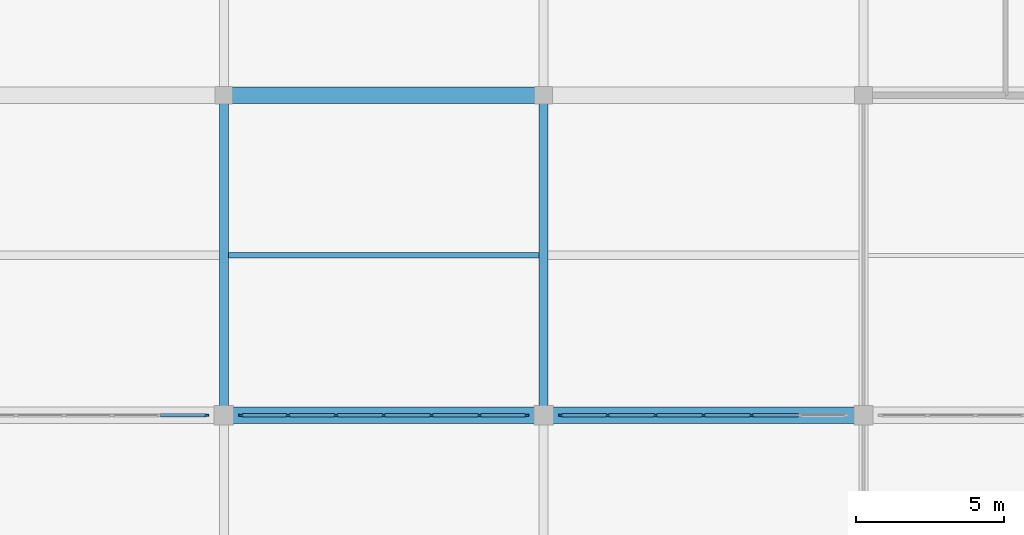
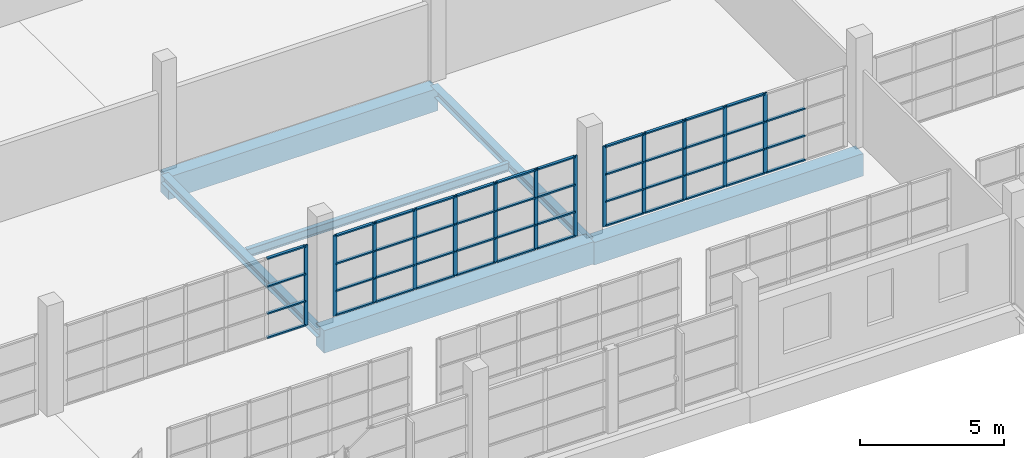
# One storey, part 72 of 142: 60 members, 6 beams, 3 elements without a shape of their own.
"""IFC4 building model written with IfcOpenShell, lengths in metres."""

from ifc_helpers import new_model, si_unit, direction, frame, origin, origin_2d, place, context, subcontext, project, spatial, rectangle, i_section, extrude, material, material_profile, profile_set, type_object, element, aggregate, save


model = new_model("IFC4")

# Units and contexts
model_context = context("Model", 3, precision=1e-05, world=origin(), true_north=direction((0.0, 1.0)))
body_context = subcontext(model_context, "Body", "Model", "MODEL_VIEW")
ifc_project = project(units=[si_unit("LENGTHUNIT", "METRE"), si_unit("AREAUNIT", "SQUARE_METRE"), si_unit("VOLUMEUNIT", "CUBIC_METRE"), si_unit("PLANEANGLEUNIT", "RADIAN"), si_unit("MASSUNIT", "GRAM", prefix="KILO")], contexts=[model_context])

# Site, building, storey
site_placement = place(None, origin())
site = spatial("IfcSite", under=ifc_project, at=site_placement, CompositionType="ELEMENT")
building_placement = place(site_placement, origin())
building = spatial("IfcBuilding", under=site, at=building_placement, Name="Zwinboog Wholesale Market", CompositionType="ELEMENT")
storey_placement = place(building_placement, frame((0.0, 0.0, 5.39990234375)))
storey = spatial("IfcBuildingStorey", under=building, at=storey_placement, Name="L01", CompositionType="ELEMENT", Elevation=5.39990234375)

# Beams
ifc_material_1 = material(Name="Precast concrete C45/55", Category="concrete")
ifc_material_profile_1 = material_profile(ifc_material_1, rectangle(XDim=0.550048828125, YDim=0.949951171875, at=origin_2d()), Name="PC 550x950")
ifc_profile_set_1 = profile_set([ifc_material_profile_1], Name="Precast concrete C45/55")
beam_type_1 = type_object("IfcBeamType", Name="BT-02", PredefinedType="BEAM", material=ifc_profile_set_1)
beam_1_placement = place(storey_placement, frame((129.60009765625, 97.199951171875, -0.7548828125), z_axis=(1.0, 0.0, 0.0), x_axis=(0.0, 1.0, 0.0)))
element("IfcBeam", 1, at=beam_1_placement, inside=storey, type_object=beam_type_1, Name="BG-02 (BMG-L01-1296-0972-0537)", PredefinedType="BEAM", context=body_context, shape_type="SweptSolid", body=[
    extrude(rectangle(XDim=0.550048828125, YDim=0.949951171875, at=origin_2d()), origin(), (0.0, 0.0, 1.0), 10.7998046875),
])
beam_2_placement = place(storey_placement, frame((140.39990234375, 97.199951171875, -0.806884765625), z_axis=(1.0, 0.0, 0.0), x_axis=(0.0, 1.0, 0.0)))
element("IfcBeam", 2, at=beam_2_placement, inside=storey, type_object=beam_type_1, Name="BG-02 (BMG-L01-1404-0972-0538)", PredefinedType="BEAM", context=body_context, shape_type="SweptSolid", body=[
    extrude(rectangle(XDim=0.550048828125, YDim=0.949951171875, at=origin_2d()), origin(), (0.0, 0.0, 1.0), 10.800048828125),
])
beam_3_placement = place(storey_placement, frame((129.60009765625, 108.0, -0.806884765625), z_axis=(1.0, 0.0, 0.0), x_axis=(0.0, 1.0, 0.0)))
element("IfcBeam", 3, at=beam_3_placement, inside=storey, type_object=beam_type_1, Name="BG-02 (BMG-L01-1296-1080-0553)", PredefinedType="BEAM", context=body_context, shape_type="SweptSolid", body=[
    extrude(rectangle(XDim=0.550048828125, YDim=0.949951171875, at=origin_2d()), origin(), (0.0, 0.0, 1.0), 10.7998046875),
])
ifc_material_2 = material(Name="Steel S355", Category="steel")
ifc_material_profile_2 = material_profile(ifc_material_2, i_section(OverallWidth=0.300048828125, OverallDepth=0.35009765625, WebThickness=0.010009765625, FlangeThickness=0.017578125, FilletRadius=0.027099609375, at=origin_2d()), Name="HEA 360")
ifc_profile_set_2 = profile_set([ifc_material_profile_2], Name="Steel S355")
beam_type_2 = type_object("IfcBeamType", Name="BT-17", PredefinedType="BEAM", material=ifc_profile_set_2)
for number, where, z_axis, x_axis, name in (
    (4, (129.60009765625, 97.199951171875, -0.5068359375), (0.0, 1.0, 0.0), (-1.0, 0.0, 0.0), "SB-04 (BMG-L01-1296-0972-0709)"),
    (5, (140.39990234375, 97.199951171875, -0.5068359375), (0.0, 1.0, 0.0), (-1.0, 0.0, 0.0), "SB-04 (BMG-L01-1404-0972-0718)"),
):
    element("IfcBeam", number, at=place(storey_placement, frame(where, z_axis=z_axis, x_axis=x_axis)), inside=storey, type_object=beam_type_2, Name=name, PredefinedType="BEAM", context=body_context, shape_type="SweptSolid", body=[
        extrude(i_section(OverallWidth=0.300048828125, OverallDepth=0.35009765625, WebThickness=0.010009765625, FlangeThickness=0.017578125, FilletRadius=0.027099609375, at=origin_2d()), origin(), (0.0, 0.0, 1.0), 10.800048828125),
    ])
ifc_material_profile_3 = material_profile(ifc_material_2, i_section(OverallWidth=0.169921875, OverallDepth=0.360107421875, WebThickness=0.008056640625, FlangeThickness=0.0126953125, FilletRadius=0.01806640625, at=origin_2d()), Name="IPE 360")
ifc_profile_set_3 = profile_set([ifc_material_profile_3], Name="Steel S355")
beam_type_3 = type_object("IfcBeamType", Name="BT-20", PredefinedType="JOIST", material=ifc_profile_set_3)
beam_4_placement = place(storey_placement, frame((129.75, 102.60009765625, -0.4599609375), z_axis=(1.0, 0.0, 0.0), x_axis=(0.0, 1.0, 0.0)))
element("IfcBeam", 6, at=beam_4_placement, inside=storey, type_object=beam_type_3, Name="SJ-03 (BMG-L01-1298-1026-0843)", PredefinedType="JOIST", context=body_context, shape_type="SweptSolid", body=[
    extrude(i_section(OverallWidth=0.169921875, OverallDepth=0.360107421875, WebThickness=0.008056640625, FlangeThickness=0.0126953125, FilletRadius=0.01806640625, at=origin_2d()), origin(), (0.0, 0.0, 1.0), 10.5),
])

# Curtain wall, member
ifc_material_3 = material(Name="Aluminium thermally broken curtain wall", Category="aluminium")
curtain_wall_type = type_object("IfcCurtainWallType", Name="CWT-INT-STALL", PredefinedType="USERDEFINED", material=ifc_material_3)
curtain_wall_1_placement = place(storey_placement, origin())
curtain_wall_1 = element("IfcCurtainWall", 7, at=curtain_wall_1_placement, inside=storey, type_object=curtain_wall_type, Name="CW-07 (CW-STL-250)", ObjectType="STOREFRONT_GLAZING", PredefinedType="USERDEFINED")
ifc_material_4 = material(Name="Aluminium EN AW-6060", Category="aluminium")
ifc_material_profile_4 = material_profile(ifc_material_4, rectangle(XDim=0.06005859375, YDim=0.14990234375, at=origin_2d()), Name="AL 60x150")
ifc_profile_set_4 = profile_set([ifc_material_profile_4], Name="Aluminium EN AW-6060")
member_type_1 = type_object("IfcMemberType", Name="CWM-INT-60x120", PredefinedType="MULLION", material=ifc_profile_set_4)
member_1_placement = place(storey_placement, frame((129.02001953125, 97.199951171875, 0.0), z_axis=(0.0, 0.0, 1.0), x_axis=(0.0, 1.0, 0.0)))
member_1 = element("IfcMember", 8, at=member_1_placement, type_object=member_type_1, Name="CW-07 mullion 7", PredefinedType="MULLION", context=body_context, shape_type="SweptSolid", body=[
    extrude(rectangle(XDim=0.06005859375, YDim=0.14990234375, at=origin_2d()), origin(), (0.0, 0.0, 1.0), 3.400146484375),
])

# Curtain wall, members
curtain_wall_2_placement = place(storey_placement, origin())
curtain_wall_2 = element("IfcCurtainWall", 9, at=curtain_wall_2_placement, inside=storey, type_object=curtain_wall_type, Name="CW-07 (CW-STL-251)", ObjectType="STOREFRONT_GLAZING", PredefinedType="USERDEFINED")
member_2_placement = place(storey_placement, frame((130.179931640625, 97.199951171875, 0.0), z_axis=(0.0, 0.0, 1.0), x_axis=(0.0, 1.0, 0.0)))
member_2 = element("IfcMember", 10, at=member_2_placement, type_object=member_type_1, Name="CW-07 mullion 1", PredefinedType="MULLION", context=body_context, shape_type="SweptSolid", body=[
    extrude(rectangle(XDim=0.06005859375, YDim=0.14990234375, at=origin_2d()), origin(), (0.0, 0.0, 1.0), 3.400146484375),
])
member_3_placement = place(storey_placement, frame((131.7666015625, 97.199951171875, 0.0), z_axis=(0.0, 0.0, 1.0), x_axis=(0.0, 1.0, 0.0)))
member_3 = element("IfcMember", 11, at=member_3_placement, type_object=member_type_1, Name="CW-07 mullion 2", PredefinedType="MULLION", context=body_context, shape_type="SweptSolid", body=[
    extrude(rectangle(XDim=0.06005859375, YDim=0.14990234375, at=origin_2d()), origin(), (0.0, 0.0, 1.0), 3.400146484375),
])
member_4_placement = place(storey_placement, frame((133.38330078125, 97.199951171875, 0.0), z_axis=(0.0, 0.0, 1.0), x_axis=(0.0, 1.0, 0.0)))
member_4 = element("IfcMember", 12, at=member_4_placement, type_object=member_type_1, Name="CW-07 mullion 3", PredefinedType="MULLION", context=body_context, shape_type="SweptSolid", body=[
    extrude(rectangle(XDim=0.06005859375, YDim=0.14990234375, at=origin_2d()), origin(), (0.0, 0.0, 1.0), 3.400146484375),
])
member_5_placement = place(storey_placement, frame((135.0, 97.199951171875, 0.0), z_axis=(0.0, 0.0, 1.0), x_axis=(0.0, 1.0, 0.0)))
member_5 = element("IfcMember", 13, at=member_5_placement, type_object=member_type_1, Name="CW-07 mullion 4", PredefinedType="MULLION", context=body_context, shape_type="SweptSolid", body=[
    extrude(rectangle(XDim=0.06005859375, YDim=0.14990234375, at=origin_2d()), origin(), (0.0, 0.0, 1.0), 3.400146484375),
])
member_6_placement = place(storey_placement, frame((136.61669921875, 97.199951171875, 0.0), z_axis=(0.0, 0.0, 1.0), x_axis=(0.0, 1.0, 0.0)))
member_6 = element("IfcMember", 14, at=member_6_placement, type_object=member_type_1, Name="CW-07 mullion 5", PredefinedType="MULLION", context=body_context, shape_type="SweptSolid", body=[
    extrude(rectangle(XDim=0.06005859375, YDim=0.14990234375, at=origin_2d()), origin(), (0.0, 0.0, 1.0), 3.400146484375),
])
member_7_placement = place(storey_placement, frame((138.2333984375, 97.199951171875, 0.0), z_axis=(0.0, 0.0, 1.0), x_axis=(0.0, 1.0, 0.0)))
member_7 = element("IfcMember", 15, at=member_7_placement, type_object=member_type_1, Name="CW-07 mullion 6", PredefinedType="MULLION", context=body_context, shape_type="SweptSolid", body=[
    extrude(rectangle(XDim=0.06005859375, YDim=0.14990234375, at=origin_2d()), origin(), (0.0, 0.0, 1.0), 3.400146484375),
])
member_8_placement = place(storey_placement, frame((139.820068359375, 97.199951171875, 0.0), z_axis=(0.0, 0.0, 1.0), x_axis=(0.0, 1.0, 0.0)))
member_8 = element("IfcMember", 16, at=member_8_placement, type_object=member_type_1, Name="CW-07 mullion 7", PredefinedType="MULLION", context=body_context, shape_type="SweptSolid", body=[
    extrude(rectangle(XDim=0.06005859375, YDim=0.14990234375, at=origin_2d()), origin(), (0.0, 0.0, 1.0), 3.400146484375),
])

curtain_wall_3_placement = place(storey_placement, origin())
curtain_wall_3 = element("IfcCurtainWall", 17, at=curtain_wall_3_placement, inside=storey, type_object=curtain_wall_type, Name="CW-07 (CW-STL-252)", ObjectType="STOREFRONT_GLAZING", PredefinedType="USERDEFINED")
member_9_placement = place(storey_placement, frame((140.97998046875, 97.199951171875, 0.0), z_axis=(0.0, 0.0, 1.0), x_axis=(0.0, 1.0, 0.0)))
member_9 = element("IfcMember", 18, at=member_9_placement, type_object=member_type_1, Name="CW-07 mullion 1", PredefinedType="MULLION", context=body_context, shape_type="SweptSolid", body=[
    extrude(rectangle(XDim=0.06005859375, YDim=0.14990234375, at=origin_2d()), origin(), (0.0, 0.0, 1.0), 3.400146484375),
])
member_10_placement = place(storey_placement, frame((142.566650390625, 97.199951171875, 0.0), z_axis=(0.0, 0.0, 1.0), x_axis=(0.0, 1.0, 0.0)))
member_10 = element("IfcMember", 19, at=member_10_placement, type_object=member_type_1, Name="CW-07 mullion 2", PredefinedType="MULLION", context=body_context, shape_type="SweptSolid", body=[
    extrude(rectangle(XDim=0.06005859375, YDim=0.14990234375, at=origin_2d()), origin(), (0.0, 0.0, 1.0), 3.400146484375),
])
member_11_placement = place(storey_placement, frame((144.183349609375, 97.199951171875, 0.0), z_axis=(0.0, 0.0, 1.0), x_axis=(0.0, 1.0, 0.0)))
member_11 = element("IfcMember", 20, at=member_11_placement, type_object=member_type_1, Name="CW-07 mullion 3", PredefinedType="MULLION", context=body_context, shape_type="SweptSolid", body=[
    extrude(rectangle(XDim=0.06005859375, YDim=0.14990234375, at=origin_2d()), origin(), (0.0, 0.0, 1.0), 3.400146484375),
])
member_12_placement = place(storey_placement, frame((145.800048828125, 97.199951171875, 0.0), z_axis=(0.0, 0.0, 1.0), x_axis=(0.0, 1.0, 0.0)))
member_12 = element("IfcMember", 21, at=member_12_placement, type_object=member_type_1, Name="CW-07 mullion 4", PredefinedType="MULLION", context=body_context, shape_type="SweptSolid", body=[
    extrude(rectangle(XDim=0.06005859375, YDim=0.14990234375, at=origin_2d()), origin(), (0.0, 0.0, 1.0), 3.400146484375),
])
member_13_placement = place(storey_placement, frame((147.416748046875, 97.199951171875, 0.0), z_axis=(0.0, 0.0, 1.0), x_axis=(0.0, 1.0, 0.0)))
member_13 = element("IfcMember", 22, at=member_13_placement, type_object=member_type_1, Name="CW-07 mullion 5", PredefinedType="MULLION", context=body_context, shape_type="SweptSolid", body=[
    extrude(rectangle(XDim=0.06005859375, YDim=0.14990234375, at=origin_2d()), origin(), (0.0, 0.0, 1.0), 3.400146484375),
])

# Member
ifc_material_profile_5 = material_profile(ifc_material_4, rectangle(XDim=0.110107421875, YDim=0.06005859375, at=origin_2d()), Name="AL 60x110")
ifc_profile_set_5 = profile_set([ifc_material_profile_5], Name="Aluminium EN AW-6060")
member_type_2 = type_object("IfcMemberType", Name="CWT-INT-60x100", PredefinedType="USERDEFINED", material=ifc_profile_set_5)
member_14_placement = place(storey_placement, frame((127.46337890625, 97.199951171875, 0.030029296875), z_axis=(1.0, 0.0, 0.0), x_axis=(0.0, 1.0, 0.0)))
member_14 = element("IfcMember", 23, at=member_14_placement, type_object=member_type_2, Name="CW-07 transom 6.1", ObjectType="TRANSOM", PredefinedType="USERDEFINED", context=body_context, shape_type="SweptSolid", body=[
    extrude(rectangle(XDim=0.110107421875, YDim=0.06005859375, at=origin_2d()), origin(), (0.0, 0.0, 1.0), 1.526611328125),
])

member_15_placement = place(storey_placement, frame((127.46337890625, 97.199951171875, 1.050048828125), z_axis=(1.0, 0.0, 0.0), x_axis=(0.0, 1.0, 0.0)))
member_15 = element("IfcMember", 24, at=member_15_placement, type_object=member_type_2, Name="CW-07 transom 6.2", ObjectType="TRANSOM", PredefinedType="USERDEFINED", context=body_context, shape_type="SweptSolid", body=[
    extrude(rectangle(XDim=0.110107421875, YDim=0.06005859375, at=origin_2d()), origin(), (0.0, 0.0, 1.0), 1.526611328125),
])

member_16_placement = place(storey_placement, frame((127.46337890625, 97.199951171875, 2.2001953125), z_axis=(1.0, 0.0, 0.0), x_axis=(0.0, 1.0, 0.0)))
member_16 = element("IfcMember", 25, at=member_16_placement, type_object=member_type_2, Name="CW-07 transom 6.3", ObjectType="TRANSOM", PredefinedType="USERDEFINED", context=body_context, shape_type="SweptSolid", body=[
    extrude(rectangle(XDim=0.110107421875, YDim=0.06005859375, at=origin_2d()), origin(), (0.0, 0.0, 1.0), 1.526611328125),
])

member_17_placement = place(storey_placement, frame((127.46337890625, 97.199951171875, 3.3701171875), z_axis=(1.0, 0.0, 0.0), x_axis=(0.0, 1.0, 0.0)))
member_17 = element("IfcMember", 26, at=member_17_placement, type_object=member_type_2, Name="CW-07 transom 6.4", ObjectType="TRANSOM", PredefinedType="USERDEFINED", context=body_context, shape_type="SweptSolid", body=[
    extrude(rectangle(XDim=0.110107421875, YDim=0.06005859375, at=origin_2d()), origin(), (0.0, 0.0, 1.0), 1.526611328125),
])

aggregate(curtain_wall_1, [member_1, member_14, member_15, member_16, member_17])

member_18_placement = place(storey_placement, frame((130.2099609375, 97.199951171875, 0.030029296875), z_axis=(1.0, 0.0, 0.0), x_axis=(0.0, 1.0, 0.0)))
member_18 = element("IfcMember", 27, at=member_18_placement, type_object=member_type_2, Name="CW-07 transom 1.1", ObjectType="TRANSOM", PredefinedType="USERDEFINED", context=body_context, shape_type="SweptSolid", body=[
    extrude(rectangle(XDim=0.110107421875, YDim=0.06005859375, at=origin_2d()), origin(), (0.0, 0.0, 1.0), 1.526611328125),
])

member_19_placement = place(storey_placement, frame((130.2099609375, 97.199951171875, 1.050048828125), z_axis=(1.0, 0.0, 0.0), x_axis=(0.0, 1.0, 0.0)))
member_19 = element("IfcMember", 28, at=member_19_placement, type_object=member_type_2, Name="CW-07 transom 1.2", ObjectType="TRANSOM", PredefinedType="USERDEFINED", context=body_context, shape_type="SweptSolid", body=[
    extrude(rectangle(XDim=0.110107421875, YDim=0.06005859375, at=origin_2d()), origin(), (0.0, 0.0, 1.0), 1.526611328125),
])

member_20_placement = place(storey_placement, frame((130.2099609375, 97.199951171875, 2.2001953125), z_axis=(1.0, 0.0, 0.0), x_axis=(0.0, 1.0, 0.0)))
member_20 = element("IfcMember", 29, at=member_20_placement, type_object=member_type_2, Name="CW-07 transom 1.3", ObjectType="TRANSOM", PredefinedType="USERDEFINED", context=body_context, shape_type="SweptSolid", body=[
    extrude(rectangle(XDim=0.110107421875, YDim=0.06005859375, at=origin_2d()), origin(), (0.0, 0.0, 1.0), 1.526611328125),
])

member_21_placement = place(storey_placement, frame((130.2099609375, 97.199951171875, 3.3701171875), z_axis=(1.0, 0.0, 0.0), x_axis=(0.0, 1.0, 0.0)))
member_21 = element("IfcMember", 30, at=member_21_placement, type_object=member_type_2, Name="CW-07 transom 1.4", ObjectType="TRANSOM", PredefinedType="USERDEFINED", context=body_context, shape_type="SweptSolid", body=[
    extrude(rectangle(XDim=0.110107421875, YDim=0.06005859375, at=origin_2d()), origin(), (0.0, 0.0, 1.0), 1.526611328125),
])

member_22_placement = place(storey_placement, frame((131.796630859375, 97.199951171875, 0.030029296875), z_axis=(1.0, 0.0, 0.0), x_axis=(0.0, 1.0, 0.0)))
member_22 = element("IfcMember", 31, at=member_22_placement, type_object=member_type_2, Name="CW-07 transom 2.1", ObjectType="TRANSOM", PredefinedType="USERDEFINED", context=body_context, shape_type="SweptSolid", body=[
    extrude(rectangle(XDim=0.110107421875, YDim=0.06005859375, at=origin_2d()), origin(), (0.0, 0.0, 1.0), 1.556640625),
])

member_23_placement = place(storey_placement, frame((131.796630859375, 97.199951171875, 1.050048828125), z_axis=(1.0, 0.0, 0.0), x_axis=(0.0, 1.0, 0.0)))
member_23 = element("IfcMember", 32, at=member_23_placement, type_object=member_type_2, Name="CW-07 transom 2.2", ObjectType="TRANSOM", PredefinedType="USERDEFINED", context=body_context, shape_type="SweptSolid", body=[
    extrude(rectangle(XDim=0.110107421875, YDim=0.06005859375, at=origin_2d()), origin(), (0.0, 0.0, 1.0), 1.556640625),
])

member_24_placement = place(storey_placement, frame((131.796630859375, 97.199951171875, 2.2001953125), z_axis=(1.0, 0.0, 0.0), x_axis=(0.0, 1.0, 0.0)))
member_24 = element("IfcMember", 33, at=member_24_placement, type_object=member_type_2, Name="CW-07 transom 2.3", ObjectType="TRANSOM", PredefinedType="USERDEFINED", context=body_context, shape_type="SweptSolid", body=[
    extrude(rectangle(XDim=0.110107421875, YDim=0.06005859375, at=origin_2d()), origin(), (0.0, 0.0, 1.0), 1.556640625),
])

member_25_placement = place(storey_placement, frame((131.796630859375, 97.199951171875, 3.3701171875), z_axis=(1.0, 0.0, 0.0), x_axis=(0.0, 1.0, 0.0)))
member_25 = element("IfcMember", 34, at=member_25_placement, type_object=member_type_2, Name="CW-07 transom 2.4", ObjectType="TRANSOM", PredefinedType="USERDEFINED", context=body_context, shape_type="SweptSolid", body=[
    extrude(rectangle(XDim=0.110107421875, YDim=0.06005859375, at=origin_2d()), origin(), (0.0, 0.0, 1.0), 1.556640625),
])

member_26_placement = place(storey_placement, frame((133.413330078125, 97.199951171875, 0.030029296875), z_axis=(1.0, 0.0, 0.0), x_axis=(0.0, 1.0, 0.0)))
member_26 = element("IfcMember", 35, at=member_26_placement, type_object=member_type_2, Name="CW-07 transom 3.1", ObjectType="TRANSOM", PredefinedType="USERDEFINED", context=body_context, shape_type="SweptSolid", body=[
    extrude(rectangle(XDim=0.110107421875, YDim=0.06005859375, at=origin_2d()), origin(), (0.0, 0.0, 1.0), 1.556640625),
])

member_27_placement = place(storey_placement, frame((133.413330078125, 97.199951171875, 1.050048828125), z_axis=(1.0, 0.0, 0.0), x_axis=(0.0, 1.0, 0.0)))
member_27 = element("IfcMember", 36, at=member_27_placement, type_object=member_type_2, Name="CW-07 transom 3.2", ObjectType="TRANSOM", PredefinedType="USERDEFINED", context=body_context, shape_type="SweptSolid", body=[
    extrude(rectangle(XDim=0.110107421875, YDim=0.06005859375, at=origin_2d()), origin(), (0.0, 0.0, 1.0), 1.556640625),
])

member_28_placement = place(storey_placement, frame((133.413330078125, 97.199951171875, 2.2001953125), z_axis=(1.0, 0.0, 0.0), x_axis=(0.0, 1.0, 0.0)))
member_28 = element("IfcMember", 37, at=member_28_placement, type_object=member_type_2, Name="CW-07 transom 3.3", ObjectType="TRANSOM", PredefinedType="USERDEFINED", context=body_context, shape_type="SweptSolid", body=[
    extrude(rectangle(XDim=0.110107421875, YDim=0.06005859375, at=origin_2d()), origin(), (0.0, 0.0, 1.0), 1.556640625),
])

member_29_placement = place(storey_placement, frame((133.413330078125, 97.199951171875, 3.3701171875), z_axis=(1.0, 0.0, 0.0), x_axis=(0.0, 1.0, 0.0)))
member_29 = element("IfcMember", 38, at=member_29_placement, type_object=member_type_2, Name="CW-07 transom 3.4", ObjectType="TRANSOM", PredefinedType="USERDEFINED", context=body_context, shape_type="SweptSolid", body=[
    extrude(rectangle(XDim=0.110107421875, YDim=0.06005859375, at=origin_2d()), origin(), (0.0, 0.0, 1.0), 1.556640625),
])

member_30_placement = place(storey_placement, frame((135.030029296875, 97.199951171875, 0.030029296875), z_axis=(1.0, 0.0, 0.0), x_axis=(0.0, 1.0, 0.0)))
member_30 = element("IfcMember", 39, at=member_30_placement, type_object=member_type_2, Name="CW-07 transom 4.1", ObjectType="TRANSOM", PredefinedType="USERDEFINED", context=body_context, shape_type="SweptSolid", body=[
    extrude(rectangle(XDim=0.110107421875, YDim=0.06005859375, at=origin_2d()), origin(), (0.0, 0.0, 1.0), 1.556640625),
])

member_31_placement = place(storey_placement, frame((135.030029296875, 97.199951171875, 1.050048828125), z_axis=(1.0, 0.0, 0.0), x_axis=(0.0, 1.0, 0.0)))
member_31 = element("IfcMember", 40, at=member_31_placement, type_object=member_type_2, Name="CW-07 transom 4.2", ObjectType="TRANSOM", PredefinedType="USERDEFINED", context=body_context, shape_type="SweptSolid", body=[
    extrude(rectangle(XDim=0.110107421875, YDim=0.06005859375, at=origin_2d()), origin(), (0.0, 0.0, 1.0), 1.556640625),
])

member_32_placement = place(storey_placement, frame((135.030029296875, 97.199951171875, 2.2001953125), z_axis=(1.0, 0.0, 0.0), x_axis=(0.0, 1.0, 0.0)))
member_32 = element("IfcMember", 41, at=member_32_placement, type_object=member_type_2, Name="CW-07 transom 4.3", ObjectType="TRANSOM", PredefinedType="USERDEFINED", context=body_context, shape_type="SweptSolid", body=[
    extrude(rectangle(XDim=0.110107421875, YDim=0.06005859375, at=origin_2d()), origin(), (0.0, 0.0, 1.0), 1.556640625),
])

member_33_placement = place(storey_placement, frame((135.030029296875, 97.199951171875, 3.3701171875), z_axis=(1.0, 0.0, 0.0), x_axis=(0.0, 1.0, 0.0)))
member_33 = element("IfcMember", 42, at=member_33_placement, type_object=member_type_2, Name="CW-07 transom 4.4", ObjectType="TRANSOM", PredefinedType="USERDEFINED", context=body_context, shape_type="SweptSolid", body=[
    extrude(rectangle(XDim=0.110107421875, YDim=0.06005859375, at=origin_2d()), origin(), (0.0, 0.0, 1.0), 1.556640625),
])

member_34_placement = place(storey_placement, frame((136.646728515625, 97.199951171875, 0.030029296875), z_axis=(1.0, 0.0, 0.0), x_axis=(0.0, 1.0, 0.0)))
member_34 = element("IfcMember", 43, at=member_34_placement, type_object=member_type_2, Name="CW-07 transom 5.1", ObjectType="TRANSOM", PredefinedType="USERDEFINED", context=body_context, shape_type="SweptSolid", body=[
    extrude(rectangle(XDim=0.110107421875, YDim=0.06005859375, at=origin_2d()), origin(), (0.0, 0.0, 1.0), 1.556640625),
])

member_35_placement = place(storey_placement, frame((136.646728515625, 97.199951171875, 1.050048828125), z_axis=(1.0, 0.0, 0.0), x_axis=(0.0, 1.0, 0.0)))
member_35 = element("IfcMember", 44, at=member_35_placement, type_object=member_type_2, Name="CW-07 transom 5.2", ObjectType="TRANSOM", PredefinedType="USERDEFINED", context=body_context, shape_type="SweptSolid", body=[
    extrude(rectangle(XDim=0.110107421875, YDim=0.06005859375, at=origin_2d()), origin(), (0.0, 0.0, 1.0), 1.556640625),
])

member_36_placement = place(storey_placement, frame((136.646728515625, 97.199951171875, 2.2001953125), z_axis=(1.0, 0.0, 0.0), x_axis=(0.0, 1.0, 0.0)))
member_36 = element("IfcMember", 45, at=member_36_placement, type_object=member_type_2, Name="CW-07 transom 5.3", ObjectType="TRANSOM", PredefinedType="USERDEFINED", context=body_context, shape_type="SweptSolid", body=[
    extrude(rectangle(XDim=0.110107421875, YDim=0.06005859375, at=origin_2d()), origin(), (0.0, 0.0, 1.0), 1.556640625),
])

member_37_placement = place(storey_placement, frame((136.646728515625, 97.199951171875, 3.3701171875), z_axis=(1.0, 0.0, 0.0), x_axis=(0.0, 1.0, 0.0)))
member_37 = element("IfcMember", 46, at=member_37_placement, type_object=member_type_2, Name="CW-07 transom 5.4", ObjectType="TRANSOM", PredefinedType="USERDEFINED", context=body_context, shape_type="SweptSolid", body=[
    extrude(rectangle(XDim=0.110107421875, YDim=0.06005859375, at=origin_2d()), origin(), (0.0, 0.0, 1.0), 1.556640625),
])

member_38_placement = place(storey_placement, frame((138.263427734375, 97.199951171875, 0.030029296875), z_axis=(1.0, 0.0, 0.0), x_axis=(0.0, 1.0, 0.0)))
member_38 = element("IfcMember", 47, at=member_38_placement, type_object=member_type_2, Name="CW-07 transom 6.1", ObjectType="TRANSOM", PredefinedType="USERDEFINED", context=body_context, shape_type="SweptSolid", body=[
    extrude(rectangle(XDim=0.110107421875, YDim=0.06005859375, at=origin_2d()), origin(), (0.0, 0.0, 1.0), 1.526611328125),
])

member_39_placement = place(storey_placement, frame((138.263427734375, 97.199951171875, 1.050048828125), z_axis=(1.0, 0.0, 0.0), x_axis=(0.0, 1.0, 0.0)))
member_39 = element("IfcMember", 48, at=member_39_placement, type_object=member_type_2, Name="CW-07 transom 6.2", ObjectType="TRANSOM", PredefinedType="USERDEFINED", context=body_context, shape_type="SweptSolid", body=[
    extrude(rectangle(XDim=0.110107421875, YDim=0.06005859375, at=origin_2d()), origin(), (0.0, 0.0, 1.0), 1.526611328125),
])

member_40_placement = place(storey_placement, frame((138.263427734375, 97.199951171875, 2.2001953125), z_axis=(1.0, 0.0, 0.0), x_axis=(0.0, 1.0, 0.0)))
member_40 = element("IfcMember", 49, at=member_40_placement, type_object=member_type_2, Name="CW-07 transom 6.3", ObjectType="TRANSOM", PredefinedType="USERDEFINED", context=body_context, shape_type="SweptSolid", body=[
    extrude(rectangle(XDim=0.110107421875, YDim=0.06005859375, at=origin_2d()), origin(), (0.0, 0.0, 1.0), 1.526611328125),
])

member_41_placement = place(storey_placement, frame((138.263427734375, 97.199951171875, 3.3701171875), z_axis=(1.0, 0.0, 0.0), x_axis=(0.0, 1.0, 0.0)))
member_41 = element("IfcMember", 50, at=member_41_placement, type_object=member_type_2, Name="CW-07 transom 6.4", ObjectType="TRANSOM", PredefinedType="USERDEFINED", context=body_context, shape_type="SweptSolid", body=[
    extrude(rectangle(XDim=0.110107421875, YDim=0.06005859375, at=origin_2d()), origin(), (0.0, 0.0, 1.0), 1.526611328125),
])

aggregate(curtain_wall_2, [member_2, member_3, member_4, member_5, member_6, member_7, member_8, member_18, member_19, member_20, member_21, member_22, member_23, member_24, member_25, member_26, member_27, member_28, member_29, member_30, member_31, member_32, member_33, member_34, member_35, member_36, member_37, member_38, member_39, member_40, member_41])

member_42_placement = place(storey_placement, frame((141.010009765625, 97.199951171875, 0.030029296875), z_axis=(1.0, 0.0, 0.0), x_axis=(0.0, 1.0, 0.0)))
member_42 = element("IfcMember", 51, at=member_42_placement, type_object=member_type_2, Name="CW-07 transom 1.1", ObjectType="TRANSOM", PredefinedType="USERDEFINED", context=body_context, shape_type="SweptSolid", body=[
    extrude(rectangle(XDim=0.110107421875, YDim=0.06005859375, at=origin_2d()), origin(), (0.0, 0.0, 1.0), 1.526611328125),
])

member_43_placement = place(storey_placement, frame((141.010009765625, 97.199951171875, 1.050048828125), z_axis=(1.0, 0.0, 0.0), x_axis=(0.0, 1.0, 0.0)))
member_43 = element("IfcMember", 52, at=member_43_placement, type_object=member_type_2, Name="CW-07 transom 1.2", ObjectType="TRANSOM", PredefinedType="USERDEFINED", context=body_context, shape_type="SweptSolid", body=[
    extrude(rectangle(XDim=0.110107421875, YDim=0.06005859375, at=origin_2d()), origin(), (0.0, 0.0, 1.0), 1.526611328125),
])

member_44_placement = place(storey_placement, frame((141.010009765625, 97.199951171875, 2.2001953125), z_axis=(1.0, 0.0, 0.0), x_axis=(0.0, 1.0, 0.0)))
member_44 = element("IfcMember", 53, at=member_44_placement, type_object=member_type_2, Name="CW-07 transom 1.3", ObjectType="TRANSOM", PredefinedType="USERDEFINED", context=body_context, shape_type="SweptSolid", body=[
    extrude(rectangle(XDim=0.110107421875, YDim=0.06005859375, at=origin_2d()), origin(), (0.0, 0.0, 1.0), 1.526611328125),
])

member_45_placement = place(storey_placement, frame((141.010009765625, 97.199951171875, 3.3701171875), z_axis=(1.0, 0.0, 0.0), x_axis=(0.0, 1.0, 0.0)))
member_45 = element("IfcMember", 54, at=member_45_placement, type_object=member_type_2, Name="CW-07 transom 1.4", ObjectType="TRANSOM", PredefinedType="USERDEFINED", context=body_context, shape_type="SweptSolid", body=[
    extrude(rectangle(XDim=0.110107421875, YDim=0.06005859375, at=origin_2d()), origin(), (0.0, 0.0, 1.0), 1.526611328125),
])

member_46_placement = place(storey_placement, frame((142.5966796875, 97.199951171875, 0.030029296875), z_axis=(1.0, 0.0, 0.0), x_axis=(0.0, 1.0, 0.0)))
member_46 = element("IfcMember", 55, at=member_46_placement, type_object=member_type_2, Name="CW-07 transom 2.1", ObjectType="TRANSOM", PredefinedType="USERDEFINED", context=body_context, shape_type="SweptSolid", body=[
    extrude(rectangle(XDim=0.110107421875, YDim=0.06005859375, at=origin_2d()), origin(), (0.0, 0.0, 1.0), 1.556640625),
])

member_47_placement = place(storey_placement, frame((142.5966796875, 97.199951171875, 1.050048828125), z_axis=(1.0, 0.0, 0.0), x_axis=(0.0, 1.0, 0.0)))
member_47 = element("IfcMember", 56, at=member_47_placement, type_object=member_type_2, Name="CW-07 transom 2.2", ObjectType="TRANSOM", PredefinedType="USERDEFINED", context=body_context, shape_type="SweptSolid", body=[
    extrude(rectangle(XDim=0.110107421875, YDim=0.06005859375, at=origin_2d()), origin(), (0.0, 0.0, 1.0), 1.556640625),
])

member_48_placement = place(storey_placement, frame((142.5966796875, 97.199951171875, 2.2001953125), z_axis=(1.0, 0.0, 0.0), x_axis=(0.0, 1.0, 0.0)))
member_48 = element("IfcMember", 57, at=member_48_placement, type_object=member_type_2, Name="CW-07 transom 2.3", ObjectType="TRANSOM", PredefinedType="USERDEFINED", context=body_context, shape_type="SweptSolid", body=[
    extrude(rectangle(XDim=0.110107421875, YDim=0.06005859375, at=origin_2d()), origin(), (0.0, 0.0, 1.0), 1.556640625),
])

member_49_placement = place(storey_placement, frame((142.5966796875, 97.199951171875, 3.3701171875), z_axis=(1.0, 0.0, 0.0), x_axis=(0.0, 1.0, 0.0)))
member_49 = element("IfcMember", 58, at=member_49_placement, type_object=member_type_2, Name="CW-07 transom 2.4", ObjectType="TRANSOM", PredefinedType="USERDEFINED", context=body_context, shape_type="SweptSolid", body=[
    extrude(rectangle(XDim=0.110107421875, YDim=0.06005859375, at=origin_2d()), origin(), (0.0, 0.0, 1.0), 1.556640625),
])

member_50_placement = place(storey_placement, frame((144.21337890625, 97.199951171875, 0.030029296875), z_axis=(1.0, 0.0, 0.0), x_axis=(0.0, 1.0, 0.0)))
member_50 = element("IfcMember", 59, at=member_50_placement, type_object=member_type_2, Name="CW-07 transom 3.1", ObjectType="TRANSOM", PredefinedType="USERDEFINED", context=body_context, shape_type="SweptSolid", body=[
    extrude(rectangle(XDim=0.110107421875, YDim=0.06005859375, at=origin_2d()), origin(), (0.0, 0.0, 1.0), 1.556640625),
])

member_51_placement = place(storey_placement, frame((144.21337890625, 97.199951171875, 1.050048828125), z_axis=(1.0, 0.0, 0.0), x_axis=(0.0, 1.0, 0.0)))
member_51 = element("IfcMember", 60, at=member_51_placement, type_object=member_type_2, Name="CW-07 transom 3.2", ObjectType="TRANSOM", PredefinedType="USERDEFINED", context=body_context, shape_type="SweptSolid", body=[
    extrude(rectangle(XDim=0.110107421875, YDim=0.06005859375, at=origin_2d()), origin(), (0.0, 0.0, 1.0), 1.556640625),
])

member_52_placement = place(storey_placement, frame((144.21337890625, 97.199951171875, 2.2001953125), z_axis=(1.0, 0.0, 0.0), x_axis=(0.0, 1.0, 0.0)))
member_52 = element("IfcMember", 61, at=member_52_placement, type_object=member_type_2, Name="CW-07 transom 3.3", ObjectType="TRANSOM", PredefinedType="USERDEFINED", context=body_context, shape_type="SweptSolid", body=[
    extrude(rectangle(XDim=0.110107421875, YDim=0.06005859375, at=origin_2d()), origin(), (0.0, 0.0, 1.0), 1.556640625),
])

member_53_placement = place(storey_placement, frame((144.21337890625, 97.199951171875, 3.3701171875), z_axis=(1.0, 0.0, 0.0), x_axis=(0.0, 1.0, 0.0)))
member_53 = element("IfcMember", 62, at=member_53_placement, type_object=member_type_2, Name="CW-07 transom 3.4", ObjectType="TRANSOM", PredefinedType="USERDEFINED", context=body_context, shape_type="SweptSolid", body=[
    extrude(rectangle(XDim=0.110107421875, YDim=0.06005859375, at=origin_2d()), origin(), (0.0, 0.0, 1.0), 1.556640625),
])

member_54_placement = place(storey_placement, frame((145.830078125, 97.199951171875, 0.030029296875), z_axis=(1.0, 0.0, 0.0), x_axis=(0.0, 1.0, 0.0)))
member_54 = element("IfcMember", 63, at=member_54_placement, type_object=member_type_2, Name="CW-07 transom 4.1", ObjectType="TRANSOM", PredefinedType="USERDEFINED", context=body_context, shape_type="SweptSolid", body=[
    extrude(rectangle(XDim=0.110107421875, YDim=0.06005859375, at=origin_2d()), origin(), (0.0, 0.0, 1.0), 1.556640625),
])

member_55_placement = place(storey_placement, frame((145.830078125, 97.199951171875, 1.050048828125), z_axis=(1.0, 0.0, 0.0), x_axis=(0.0, 1.0, 0.0)))
member_55 = element("IfcMember", 64, at=member_55_placement, type_object=member_type_2, Name="CW-07 transom 4.2", ObjectType="TRANSOM", PredefinedType="USERDEFINED", context=body_context, shape_type="SweptSolid", body=[
    extrude(rectangle(XDim=0.110107421875, YDim=0.06005859375, at=origin_2d()), origin(), (0.0, 0.0, 1.0), 1.556640625),
])

member_56_placement = place(storey_placement, frame((145.830078125, 97.199951171875, 2.2001953125), z_axis=(1.0, 0.0, 0.0), x_axis=(0.0, 1.0, 0.0)))
member_56 = element("IfcMember", 65, at=member_56_placement, type_object=member_type_2, Name="CW-07 transom 4.3", ObjectType="TRANSOM", PredefinedType="USERDEFINED", context=body_context, shape_type="SweptSolid", body=[
    extrude(rectangle(XDim=0.110107421875, YDim=0.06005859375, at=origin_2d()), origin(), (0.0, 0.0, 1.0), 1.556640625),
])

member_57_placement = place(storey_placement, frame((145.830078125, 97.199951171875, 3.3701171875), z_axis=(1.0, 0.0, 0.0), x_axis=(0.0, 1.0, 0.0)))
member_57 = element("IfcMember", 66, at=member_57_placement, type_object=member_type_2, Name="CW-07 transom 4.4", ObjectType="TRANSOM", PredefinedType="USERDEFINED", context=body_context, shape_type="SweptSolid", body=[
    extrude(rectangle(XDim=0.110107421875, YDim=0.06005859375, at=origin_2d()), origin(), (0.0, 0.0, 1.0), 1.556640625),
])

member_58_placement = place(storey_placement, frame((147.44677734375, 97.199951171875, 0.030029296875), z_axis=(1.0, 0.0, 0.0), x_axis=(0.0, 1.0, 0.0)))
member_58 = element("IfcMember", 67, at=member_58_placement, type_object=member_type_2, Name="CW-07 transom 5.1", ObjectType="TRANSOM", PredefinedType="USERDEFINED", context=body_context, shape_type="SweptSolid", body=[
    extrude(rectangle(XDim=0.110107421875, YDim=0.06005859375, at=origin_2d()), origin(), (0.0, 0.0, 1.0), 1.556640625),
])

member_59_placement = place(storey_placement, frame((147.44677734375, 97.199951171875, 1.050048828125), z_axis=(1.0, 0.0, 0.0), x_axis=(0.0, 1.0, 0.0)))
member_59 = element("IfcMember", 68, at=member_59_placement, type_object=member_type_2, Name="CW-07 transom 5.2", ObjectType="TRANSOM", PredefinedType="USERDEFINED", context=body_context, shape_type="SweptSolid", body=[
    extrude(rectangle(XDim=0.110107421875, YDim=0.06005859375, at=origin_2d()), origin(), (0.0, 0.0, 1.0), 1.556640625),
])

member_60_placement = place(storey_placement, frame((147.44677734375, 97.199951171875, 2.2001953125), z_axis=(1.0, 0.0, 0.0), x_axis=(0.0, 1.0, 0.0)))
member_60 = element("IfcMember", 69, at=member_60_placement, type_object=member_type_2, Name="CW-07 transom 5.3", ObjectType="TRANSOM", PredefinedType="USERDEFINED", context=body_context, shape_type="SweptSolid", body=[
    extrude(rectangle(XDim=0.110107421875, YDim=0.06005859375, at=origin_2d()), origin(), (0.0, 0.0, 1.0), 1.556640625),
])

aggregate(curtain_wall_3, [member_9, member_10, member_11, member_12, member_13, member_42, member_43, member_44, member_45, member_46, member_47, member_48, member_49, member_50, member_51, member_52, member_53, member_54, member_55, member_56, member_57, member_58, member_59, member_60])

save(model, "model.ifc")
